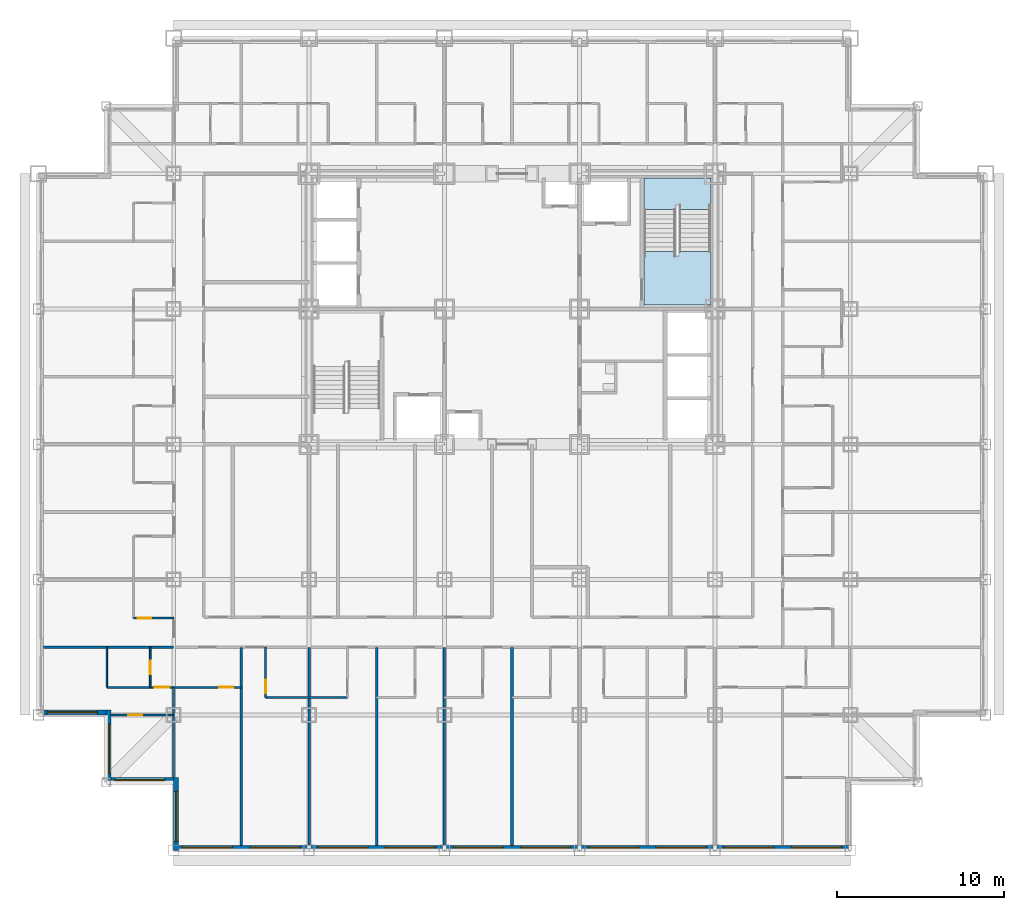
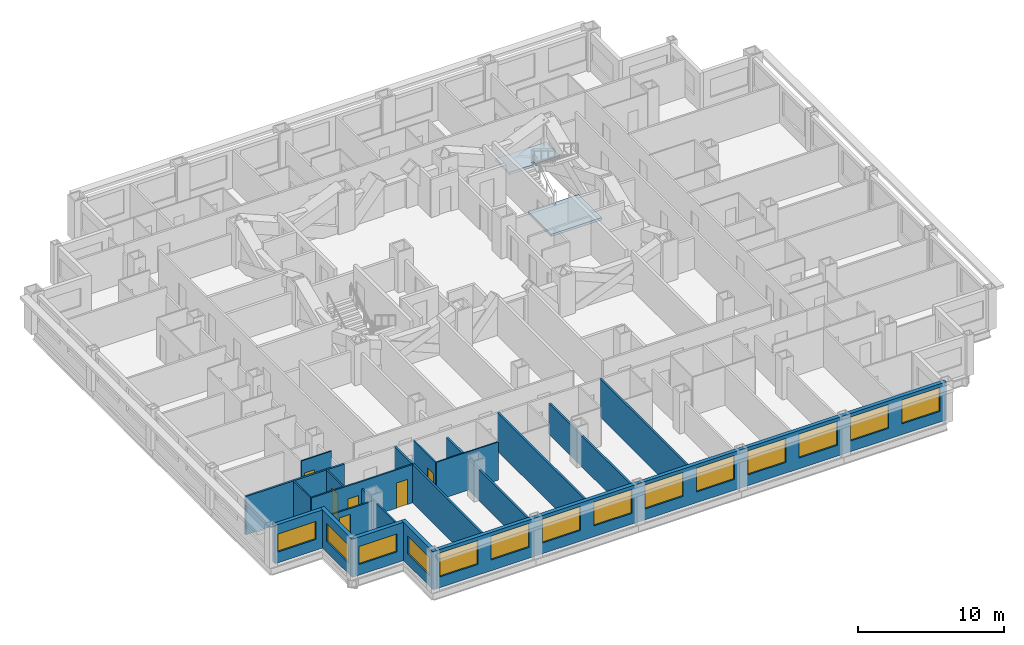
# One storey, part 3 of 13: 19 walls, 14 windows, 6 doors, 2 slabs, 20 openings, 1 element without a shape of its own.
"""IFC4 building model written with IfcOpenShell, lengths in metres."""

from ifc_helpers import new_model, si_unit, direction, frame, frame_2d, origin, place, context, subcontext, project, spatial, polyline, rectangle, outline, extrude, material, layer, layer_set, type_object, element, fill, aggregate, save


model = new_model("IFC4")

# Units and contexts
model_context = context("Model", 3, precision=1e-05, world=origin(), true_north=direction((0.0, 1.0)))
body_context = subcontext(model_context, "Body", "Model", "MODEL_VIEW")
ifc_project = project(units=[si_unit("LENGTHUNIT", "METRE"), si_unit("AREAUNIT", "SQUARE_METRE"), si_unit("VOLUMEUNIT", "CUBIC_METRE"), si_unit("PLANEANGLEUNIT", "RADIAN"), si_unit("MASSUNIT", "GRAM", prefix="KILO")], contexts=[model_context])

# Site, building, storey
site_placement = place(None, origin())
site = spatial("IfcSite", under=ifc_project, at=site_placement, CompositionType="ELEMENT")
building_placement = place(site_placement, origin())
building = spatial("IfcBuilding", under=site, at=building_placement, Name="Kopane Lantern Tower", CompositionType="ELEMENT")
storey_placement = place(building_placement, frame((0.0, 0.0, 63.60009765625)))
storey = spatial("IfcBuildingStorey", under=building, at=storey_placement, Name="L15", CompositionType="ELEMENT", Elevation=63.60009765625)

# Stair, slabs
ifc_material_1 = material(Name="Steel S355JR", Category="steel")
stair_type = type_object("IfcStairType", Name="EXIT STAIR 1900 HALF TURN", PredefinedType="HALF_TURN_STAIR", material=ifc_material_1)
stair_placement = place(storey_placement, origin())
stair = element("IfcStair", 1, at=stair_placement, inside=storey, type_object=stair_type, Name="Exit stair ST2 L15", PredefinedType="HALF_TURN_STAIR")
ifc_material_2 = material(Name="Concrete C40/50", Category="concrete")
ifc_layer_1 = layer(ifc_material_2, 0.199951171875)
ifc_layer_set_1 = layer_set([ifc_layer_1], Name="STAIR LANDING 200")
slab_type = type_object("IfcSlabType", Name="STAIR LANDING 200", PredefinedType="LANDING", material=ifc_layer_set_1)
slab_1_placement = place(storey_placement, frame((0.0, 0.0, -0.2001953125)))
slab_1 = element("IfcSlab", 2, at=slab_1_placement, type_object=slab_type, Name="ST2 landing 1", PredefinedType="LANDING", context=body_context, shape_type="SweptSolid", body=[
    extrude(outline(polyline([(40.25, 35.830078125), (38.35009765625, 35.830078125), (38.35009765625, 35.550048828125), (38.14990234375, 35.550048828125), (38.14990234375, 35.830078125), (36.25, 35.830078125), (36.25, 32.64990234375), (40.25, 32.64990234375), (40.25, 35.830078125)])), origin(), (0.0, 0.0, 1.0), 0.2001953125),
])
slab_2_placement = place(storey_placement, frame((0.0, 0.0, 1.5)))
slab_2 = element("IfcSlab", 3, at=slab_2_placement, type_object=slab_type, Name="ST2 landing 2", PredefinedType="LANDING", context=body_context, shape_type="SweptSolid", body=[
    extrude(outline(polyline([(38.14990234375, 38.6298828125), (38.35009765625, 38.6298828125), (38.35009765625, 38.35009765625), (40.25, 38.35009765625), (40.25, 40.25), (36.25, 40.25), (36.25, 38.35009765625), (38.14990234375, 38.35009765625), (38.14990234375, 38.6298828125)])), origin(), (0.0, 0.0, 1.0), 0.199951171875),
])
aggregate(stair, [slab_1, slab_2])

# Wall, openings, doors
ifc_material_3 = material(Name="Gypsum board on steel studs", Category="steel")
ifc_layer_2 = layer(ifc_material_3, 0.1201171875)
ifc_layer_set_2 = layer_set([ifc_layer_2], Name="APARTMENT INTERNAL WALL 120")
wall_type_1 = type_object("IfcWallType", Name="APARTMENT INTERNAL WALL 120", PredefinedType="PARTITIONING", material=ifc_layer_set_2)
wall_1_placement = place(storey_placement, frame((4.10009765625, 9.75, 0.0), z_axis=(0.0, 0.0, 1.0), x_axis=(1.0, 0.0, 0.0)))
wall_1 = element("IfcWall", 4, at=wall_1_placement, inside=storey, type_object=wall_type_1, Name="Apartment Internal Wall 120 L15", PredefinedType="PARTITIONING", context=body_context, shape_type="SweptSolid", body=[
    extrude(rectangle(XDim=8.0498046875, YDim=0.1201171875, at=frame_2d((4.02490234375, 0.0))), origin(), (0.0, 0.0, 1.0), 3.18994140625),
])
opening_1_placement = place(wall_1_placement, frame((6.72509765625, 0.0, 0.0)))
opening_1 = element("IfcOpeningElement", 5, at=opening_1_placement, cuts=wall_1, Name="Opening L15-068", PredefinedType="OPENING", context=body_context, shape_type="SweptSolid", body=[
    extrude(rectangle(XDim=0.85009765625, YDim=2.10009765625, at=frame_2d((0.425048828125, 1.050048828125))), frame((0.0, 0.070068359375, 0.0), z_axis=(0.0, -1.0, 0.0), x_axis=(1.0, 0.0, 0.0)), (0.0, 0.0, 1.0), 0.14013671875),
])
opening_2_placement = place(wall_1_placement, frame((2.875, 0.0, 0.0)))
opening_2 = element("IfcOpeningElement", 6, at=opening_2_placement, cuts=wall_1, Name="Opening L15-070", PredefinedType="OPENING", context=body_context, shape_type="SweptSolid", body=[
    extrude(rectangle(XDim=0.85009765625, YDim=2.10009765625, at=frame_2d((0.425048828125, 1.050048828125))), frame((0.0, 0.070068359375, 0.0), z_axis=(0.0, -1.0, 0.0), x_axis=(1.0, 0.0, 0.0)), (0.0, 0.0, 1.0), 0.14013671875),
])
ifc_material_4 = material(Name="Timber door set", Category="wood")
door_type_1 = type_object("IfcDoorType", Name="DOOR D4 850x2100", OperationType="SINGLE_SWING_LEFT", PredefinedType="DOOR", material=ifc_material_4)
door_1_placement = place(opening_1_placement, origin())
door_1 = element("IfcDoor", 7, at=door_1_placement, inside=storey, type_object=door_type_1, Name="Door L15-068", OperationType="SINGLE_SWING_RIGHT", OverallHeight=2.10009765625, OverallWidth=0.85009765625, PredefinedType="DOOR", context=body_context, shape_type="SweptSolid", body=[
    extrude(rectangle(XDim=0.85009765625, YDim=2.10009765625, at=frame_2d((0.425048828125, 1.050048828125))), frame((0.0, 0.02490234375, 0.0), z_axis=(0.0, -1.0, 0.0), x_axis=(1.0, 0.0, 0.0)), (0.0, 0.0, 1.0), 0.050048828125),
])
fill(opening_1, door_1)
door_2_placement = place(opening_2_placement, origin())
door_2 = element("IfcDoor", 8, at=door_2_placement, inside=storey, type_object=door_type_1, Name="Door L15-070", OperationType="SINGLE_SWING_LEFT", OverallHeight=2.10009765625, OverallWidth=0.85009765625, PredefinedType="DOOR", context=body_context, shape_type="SweptSolid", body=[
    extrude(rectangle(XDim=0.85009765625, YDim=2.10009765625, at=frame_2d((0.425048828125, 1.050048828125))), frame((0.0, 0.02490234375, 0.0), z_axis=(0.0, -1.0, 0.0), x_axis=(1.0, 0.0, 0.0)), (0.0, 0.0, 1.0), 0.050048828125),
])
fill(opening_2, door_2)

# Wall
wall_2_placement = place(storey_placement, frame((8.10009765625, 9.75, 0.0), z_axis=(0.0, 0.0, 1.0), x_axis=(0.0, -1.0, 0.0)))
element("IfcWall", 9, at=wall_2_placement, inside=storey, type_object=wall_type_1, Name="Apartment Internal Wall 120 L15", PredefinedType="PARTITIONING", context=body_context, shape_type="SweptSolid", body=[
    extrude(rectangle(XDim=5.39990234375, YDim=0.1201171875, at=frame_2d((2.699951171875, 0.0))), origin(), (0.0, 0.0, 1.0), 2.57763671875),
])

# Wall, opening, door
wall_3_placement = place(storey_placement, frame((8.10009765625, 8.10009765625, 0.0), z_axis=(0.0, 0.0, 1.0), x_axis=(-1.0, 0.0, 0.0)))
wall_3 = element("IfcWall", 10, at=wall_3_placement, inside=storey, type_object=wall_type_1, Name="Apartment Internal Wall 120 L15", PredefinedType="PARTITIONING", context=body_context, shape_type="SweptSolid", body=[
    extrude(rectangle(XDim=3.75, YDim=0.1201171875, at=frame_2d((1.875, 0.0))), origin(), (0.0, 0.0, 1.0), 2.57763671875),
])
opening_3_placement = place(wall_3_placement, frame((1.875, 0.0, 0.0)))
opening_3 = element("IfcOpeningElement", 11, at=opening_3_placement, cuts=wall_3, Name="Opening L15-071", PredefinedType="OPENING", context=body_context, shape_type="SweptSolid", body=[
    extrude(rectangle(XDim=0.85009765625, YDim=2.10009765625, at=frame_2d((0.425048828125, 1.050048828125))), frame((0.0, 0.070068359375, 0.0), z_axis=(0.0, -1.0, 0.0), x_axis=(1.0, 0.0, 0.0)), (0.0, 0.0, 1.0), 0.14013671875),
])
door_3_placement = place(opening_3_placement, origin())
door_3 = element("IfcDoor", 12, at=door_3_placement, inside=storey, type_object=door_type_1, Name="Door L15-071", OperationType="SINGLE_SWING_LEFT", OverallHeight=2.10009765625, OverallWidth=0.85009765625, PredefinedType="DOOR", context=body_context, shape_type="SweptSolid", body=[
    extrude(rectangle(XDim=0.85009765625, YDim=2.10009765625, at=frame_2d((0.425048828125, 1.050048828125))), frame((0.0, 0.02490234375, 0.0), z_axis=(0.0, -1.0, 0.0), x_axis=(1.0, 0.0, 0.0)), (0.0, 0.0, 1.0), 0.050048828125),
])
fill(opening_3, door_3)

# Wall
ifc_material_5 = material(Name="Moisture-resistant board on steel studs", Category="steel")
ifc_layer_3 = layer(ifc_material_5, 0.10009765625)
ifc_layer_set_3 = layer_set([ifc_layer_3], Name="BATHROOM WALL 100")
wall_type_2 = type_object("IfcWallType", Name="BATHROOM WALL 100", PredefinedType="PARTITIONING", material=ifc_layer_set_3)
wall_4_placement = place(storey_placement, frame((13.60009765625, 9.14990234375, 0.0), z_axis=(0.0, 0.0, 1.0), x_axis=(1.0, 0.0, 0.0)))
element("IfcWall", 13, at=wall_4_placement, inside=storey, type_object=wall_type_2, Name="Bathroom Wall 100 L15", PredefinedType="PARTITIONING", context=body_context, shape_type="SweptSolid", body=[
    extrude(rectangle(XDim=4.89990234375, YDim=0.10009765625, at=frame_2d((2.449951171875, 0.0))), origin(), (0.0, 0.0, 1.0), 3.18994140625),
])

# Wall, opening, door
wall_5_placement = place(storey_placement, frame((13.60009765625, 12.14990234375, 0.0), z_axis=(0.0, 0.0, 1.0), x_axis=(0.0, -1.0, 0.0)))
wall_5 = element("IfcWall", 14, at=wall_5_placement, inside=storey, type_object=wall_type_2, Name="Bathroom Wall 100 L15", PredefinedType="PARTITIONING", context=body_context, shape_type="SweptSolid", body=[
    extrude(rectangle(XDim=3.0, YDim=0.10009765625, at=frame_2d((1.5, 0.0))), origin(), (0.0, 0.0, 1.0), 3.18994140625),
])
opening_4_placement = place(wall_5_placement, frame((1.949951171875, 0.0, 0.0)))
opening_4 = element("IfcOpeningElement", 15, at=opening_4_placement, cuts=wall_5, Name="Opening L15-015", PredefinedType="OPENING", context=body_context, shape_type="SweptSolid", body=[
    extrude(rectangle(XDim=0.800048828125, YDim=2.10009765625, at=frame_2d((0.39990234375, 1.050048828125))), frame((0.0, 0.06005859375, 0.0), z_axis=(0.0, -1.0, 0.0), x_axis=(1.0, 0.0, 0.0)), (0.0, 0.0, 1.0), 0.1201171875),
])
ifc_material_6 = material(Name="Timber door set", Category="wood")
door_type_2 = type_object("IfcDoorType", Name="DOOR D2 800x2100", OperationType="SINGLE_SWING_LEFT", PredefinedType="DOOR", material=ifc_material_6)
door_4_placement = place(opening_4_placement, origin())
door_4 = element("IfcDoor", 16, at=door_4_placement, inside=storey, type_object=door_type_2, Name="Door L15-015", OperationType="SINGLE_SWING_RIGHT", OverallHeight=2.10009765625, OverallWidth=0.800048828125, PredefinedType="DOOR", context=body_context, shape_type="SweptSolid", body=[
    extrude(rectangle(XDim=0.800048828125, YDim=2.10009765625, at=frame_2d((0.39990234375, 1.050048828125))), frame((0.0, 0.02490234375, 0.0), z_axis=(0.0, -1.0, 0.0), x_axis=(1.0, 0.0, 0.0)), (0.0, 0.0, 1.0), 0.050048828125),
])
fill(opening_4, door_4)

wall_6_placement = place(storey_placement, frame((8.10009765625, 13.89990234375, 0.0), z_axis=(0.0, 0.0, 1.0), x_axis=(-1.0, 0.0, 0.0)))
wall_6 = element("IfcWall", 17, at=wall_6_placement, inside=storey, type_object=wall_type_2, Name="Bathroom Wall 100 L15", PredefinedType="PARTITIONING", context=body_context, shape_type="SweptSolid", body=[
    extrude(rectangle(XDim=2.400146484375, YDim=0.10009765625, at=frame_2d((1.2001953125, 0.0))), origin(), (0.0, 0.0, 1.0), 3.18994140625),
])
opening_5_placement = place(wall_6_placement, frame((1.35009765625, 0.0, 0.0)))
opening_5 = element("IfcOpeningElement", 18, at=opening_5_placement, cuts=wall_6, Name="Opening L15-041", PredefinedType="OPENING", context=body_context, shape_type="SweptSolid", body=[
    extrude(rectangle(XDim=0.800048828125, YDim=2.10009765625, at=frame_2d((0.39990234375, 1.050048828125))), frame((0.0, 0.06005859375, 0.0), z_axis=(0.0, -1.0, 0.0), x_axis=(1.0, 0.0, 0.0)), (0.0, 0.0, 1.0), 0.1201171875),
])
door_5_placement = place(opening_5_placement, origin())
door_5 = element("IfcDoor", 19, at=door_5_placement, inside=storey, type_object=door_type_2, Name="Door L15-041", OperationType="SINGLE_SWING_LEFT", OverallHeight=2.10009765625, OverallWidth=0.800048828125, PredefinedType="DOOR", context=body_context, shape_type="SweptSolid", body=[
    extrude(rectangle(XDim=0.800048828125, YDim=2.10009765625, at=frame_2d((0.39990234375, 1.050048828125))), frame((0.0, 0.02490234375, 0.0), z_axis=(0.0, -1.0, 0.0), x_axis=(1.0, 0.0, 0.0)), (0.0, 0.0, 1.0), 0.050048828125),
])
fill(opening_5, door_5)

wall_7_placement = place(storey_placement, frame((6.699951171875, 12.14990234375, 0.0), z_axis=(0.0, 0.0, 1.0), x_axis=(0.0, -1.0, 0.0)))
wall_7 = element("IfcWall", 20, at=wall_7_placement, inside=storey, type_object=wall_type_2, Name="Bathroom Wall 100 L15", PredefinedType="PARTITIONING", context=body_context, shape_type="SweptSolid", body=[
    extrude(rectangle(XDim=2.39990234375, YDim=0.10009765625, at=frame_2d((1.199951171875, 0.0))), origin(), (0.0, 0.0, 1.0), 3.18994140625),
])
opening_6_placement = place(wall_7_placement, frame((0.800048828125, 0.0, 0.0)))
opening_6 = element("IfcOpeningElement", 21, at=opening_6_placement, cuts=wall_7, Name="Opening L15-069", PredefinedType="OPENING", context=body_context, shape_type="SweptSolid", body=[
    extrude(rectangle(XDim=0.800048828125, YDim=2.10009765625, at=frame_2d((0.39990234375, 1.050048828125))), frame((0.0, 0.06005859375, 0.0), z_axis=(0.0, -1.0, 0.0), x_axis=(1.0, 0.0, 0.0)), (0.0, 0.0, 1.0), 0.1201171875),
])
door_6_placement = place(opening_6_placement, origin())
door_6 = element("IfcDoor", 22, at=door_6_placement, inside=storey, type_object=door_type_2, Name="Door L15-069", OperationType="SINGLE_SWING_RIGHT", OverallHeight=2.10009765625, OverallWidth=0.800048828125, PredefinedType="DOOR", context=body_context, shape_type="SweptSolid", body=[
    extrude(rectangle(XDim=0.800048828125, YDim=2.10009765625, at=frame_2d((0.39990234375, 1.050048828125))), frame((0.0, 0.02490234375, 0.0), z_axis=(0.0, -1.0, 0.0), x_axis=(1.0, 0.0, 0.0)), (0.0, 0.0, 1.0), 0.050048828125),
])
fill(opening_6, door_6)

# Walls
wall_8_placement = place(storey_placement, frame((4.10009765625, 12.14990234375, 0.0), z_axis=(0.0, 0.0, 1.0), x_axis=(0.0, -1.0, 0.0)))
element("IfcWall", 23, at=wall_8_placement, inside=storey, type_object=wall_type_2, Name="Bathroom Wall 100 L15", PredefinedType="PARTITIONING", context=body_context, shape_type="SweptSolid", body=[
    extrude(rectangle(XDim=2.39990234375, YDim=0.10009765625, at=frame_2d((1.199951171875, 0.0))), origin(), (0.0, 0.0, 1.0), 3.18994140625),
])
ifc_material_7 = material(Name="Gypsum board on steel studs", Category="steel")
ifc_layer_4 = layer(ifc_material_7, 0.14990234375)
ifc_layer_set_4 = layer_set([ifc_layer_4], Name="DEMISING WALL 150 EI 60")
wall_type_3 = type_object("IfcWallType", Name="DEMISING WALL 150 EI 60", PredefinedType="PARTITIONING", material=ifc_layer_set_4)
wall_9_placement = place(storey_placement, frame((16.199951171875, 12.14990234375, 0.0), z_axis=(0.0, 0.0, 1.0), x_axis=(0.0, -1.0, 0.0)))
element("IfcWall", 24, at=wall_9_placement, inside=storey, type_object=wall_type_3, Name="Demising Wall 150 Ei 60 L15", PredefinedType="PARTITIONING", context=body_context, shape_type="SweptSolid", body=[
    extrude(rectangle(XDim=11.849853515625, YDim=0.14990234375, at=frame_2d((5.9248046875, 0.0))), origin(), (0.0, 0.0, 1.0), 2.57763671875),
])
wall_10_placement = place(storey_placement, frame((20.25, 12.14990234375, 0.0), z_axis=(0.0, 0.0, 1.0), x_axis=(0.0, -1.0, 0.0)))
element("IfcWall", 25, at=wall_10_placement, inside=storey, type_object=wall_type_3, Name="Demising Wall 150 Ei 60 L15", PredefinedType="PARTITIONING", context=body_context, shape_type="SweptSolid", body=[
    extrude(rectangle(XDim=11.849853515625, YDim=0.14990234375, at=frame_2d((5.9248046875, 0.0))), origin(), (0.0, 0.0, 1.0), 3.18994140625),
])
wall_11_placement = place(storey_placement, frame((24.300048828125, 12.14990234375, 0.0), z_axis=(0.0, 0.0, 1.0), x_axis=(0.0, -1.0, 0.0)))
element("IfcWall", 26, at=wall_11_placement, inside=storey, type_object=wall_type_3, Name="Demising Wall 150 Ei 60 L15", PredefinedType="PARTITIONING", context=body_context, shape_type="SweptSolid", body=[
    extrude(rectangle(XDim=11.849853515625, YDim=0.14990234375, at=frame_2d((5.9248046875, 0.0))), origin(), (0.0, 0.0, 1.0), 2.57763671875),
])
wall_12_placement = place(storey_placement, frame((28.35009765625, 12.14990234375, 0.0), z_axis=(0.0, 0.0, 1.0), x_axis=(0.0, -1.0, 0.0)))
element("IfcWall", 27, at=wall_12_placement, inside=storey, type_object=wall_type_3, Name="Demising Wall 150 Ei 60 L15", PredefinedType="PARTITIONING", context=body_context, shape_type="SweptSolid", body=[
    extrude(rectangle(XDim=11.849853515625, YDim=0.14990234375, at=frame_2d((5.9248046875, 0.0))), origin(), (0.0, 0.0, 1.0), 3.18994140625),
])
wall_13_placement = place(storey_placement, frame((0.300048828125, 12.14990234375, 0.0), z_axis=(0.0, 0.0, 1.0), x_axis=(1.0, 0.0, 0.0)))
element("IfcWall", 28, at=wall_13_placement, inside=storey, type_object=wall_type_3, Name="Demising Wall 150 Ei 60 L15", PredefinedType="PARTITIONING", context=body_context, shape_type="SweptSolid", body=[
    extrude(rectangle(XDim=7.800048828125, YDim=0.14990234375, at=frame_2d((3.89990234375, 0.0))), origin(), (0.0, 0.0, 1.0), 3.18994140625),
])
wall_14_placement = place(storey_placement, frame((12.14990234375, 12.14990234375, 0.0), z_axis=(0.0, 0.0, 1.0), x_axis=(0.0, -1.0, 0.0)))
element("IfcWall", 29, at=wall_14_placement, inside=storey, type_object=wall_type_3, Name="Demising Wall 150 Ei 60 L15", PredefinedType="PARTITIONING", context=body_context, shape_type="SweptSolid", body=[
    extrude(rectangle(XDim=11.849853515625, YDim=0.14990234375, at=frame_2d((5.9248046875, 0.0))), origin(), (0.0, 0.0, 1.0), 3.18994140625),
])

# Wall, openings, windows
ifc_material_8 = material(Name="Terracotta rainscreen on light steel framing", Category="masonry")
ifc_layer_5 = layer(ifc_material_8, 0.300048828125)
ifc_layer_set_5 = layer_set([ifc_layer_5], Name="EXTERNAL WALL EW1 300 TERRACOTTA")
wall_type_4 = type_object("IfcWallType", Name="EXTERNAL WALL EW1 300 TERRACOTTA", PredefinedType="SOLIDWALL", material=ifc_layer_set_5)
wall_15_placement = place(storey_placement, frame((8.39990234375, 0.14990234375, 0.0), z_axis=(0.0, 0.0, 1.0), x_axis=(1.0, 0.0, 0.0)))
wall_15 = element("IfcWall", 30, at=wall_15_placement, inside=storey, type_object=wall_type_4, Name="External wall S L15", PredefinedType="SOLIDWALL", context=body_context, shape_type="SweptSolid", body=[
    extrude(rectangle(XDim=40.2001953125, YDim=0.300048828125, at=frame_2d((20.10009765625, 0.0))), origin(), (0.0, 0.0, 1.0), 3.18994140625),
])
opening_7_placement = place(wall_15_placement, frame((0.22509765625, 0.0, 0.89990234375)))
opening_7 = element("IfcOpeningElement", 31, at=opening_7_placement, cuts=wall_15, Name="Opening WR300200", PredefinedType="OPENING", context=body_context, shape_type="SweptSolid", body=[
    extrude(rectangle(XDim=3.0, YDim=2.0, at=frame_2d((1.5, 1.0))), frame((0.0, 0.159912109375, 0.0), z_axis=(0.0, -1.0, 0.0), x_axis=(1.0, 0.0, 0.0)), (0.0, 0.0, 1.0), 0.320068359375),
])
opening_8_placement = place(wall_15_placement, frame((4.27490234375, 0.0, 0.89990234375)))
opening_8 = element("IfcOpeningElement", 32, at=opening_8_placement, cuts=wall_15, Name="Opening WR300200", PredefinedType="OPENING", context=body_context, shape_type="SweptSolid", body=[
    extrude(rectangle(XDim=3.0, YDim=2.0, at=frame_2d((1.5, 1.0))), frame((0.0, 0.159912109375, 0.0), z_axis=(0.0, -1.0, 0.0), x_axis=(1.0, 0.0, 0.0)), (0.0, 0.0, 1.0), 0.320068359375),
])
opening_9_placement = place(wall_15_placement, frame((8.324951171875, 0.0, 0.89990234375)))
opening_9 = element("IfcOpeningElement", 33, at=opening_9_placement, cuts=wall_15, Name="Opening WR300200", PredefinedType="OPENING", context=body_context, shape_type="SweptSolid", body=[
    extrude(rectangle(XDim=3.0, YDim=2.0, at=frame_2d((1.5, 1.0))), frame((0.0, 0.159912109375, 0.0), z_axis=(0.0, -1.0, 0.0), x_axis=(1.0, 0.0, 0.0)), (0.0, 0.0, 1.0), 0.320068359375),
])
opening_10_placement = place(wall_15_placement, frame((12.375, 0.0, 0.89990234375)))
opening_10 = element("IfcOpeningElement", 34, at=opening_10_placement, cuts=wall_15, Name="Opening WR300200", PredefinedType="OPENING", context=body_context, shape_type="SweptSolid", body=[
    extrude(rectangle(XDim=3.0, YDim=2.0, at=frame_2d((1.5, 1.0))), frame((0.0, 0.159912109375, 0.0), z_axis=(0.0, -1.0, 0.0), x_axis=(1.0, 0.0, 0.0)), (0.0, 0.0, 1.0), 0.320068359375),
])
opening_11_placement = place(wall_15_placement, frame((16.425048828125, 0.0, 0.89990234375)))
opening_11 = element("IfcOpeningElement", 35, at=opening_11_placement, cuts=wall_15, Name="Opening WR300200", PredefinedType="OPENING", context=body_context, shape_type="SweptSolid", body=[
    extrude(rectangle(XDim=3.0, YDim=2.0, at=frame_2d((1.5, 1.0))), frame((0.0, 0.159912109375, 0.0), z_axis=(0.0, -1.0, 0.0), x_axis=(1.0, 0.0, 0.0)), (0.0, 0.0, 1.0), 0.320068359375),
])
opening_12_placement = place(wall_15_placement, frame((20.47509765625, 0.0, 0.89990234375)))
opening_12 = element("IfcOpeningElement", 36, at=opening_12_placement, cuts=wall_15, Name="Opening WR300200", PredefinedType="OPENING", context=body_context, shape_type="SweptSolid", body=[
    extrude(rectangle(XDim=3.0, YDim=2.0, at=frame_2d((1.5, 1.0))), frame((0.0, 0.159912109375, 0.0), z_axis=(0.0, -1.0, 0.0), x_axis=(1.0, 0.0, 0.0)), (0.0, 0.0, 1.0), 0.320068359375),
])
opening_13_placement = place(wall_15_placement, frame((24.52490234375, 0.0, 0.89990234375)))
opening_13 = element("IfcOpeningElement", 37, at=opening_13_placement, cuts=wall_15, Name="Opening WR300200", PredefinedType="OPENING", context=body_context, shape_type="SweptSolid", body=[
    extrude(rectangle(XDim=3.0, YDim=2.0, at=frame_2d((1.5, 1.0))), frame((0.0, 0.159912109375, 0.0), z_axis=(0.0, -1.0, 0.0), x_axis=(1.0, 0.0, 0.0)), (0.0, 0.0, 1.0), 0.320068359375),
])
opening_14_placement = place(wall_15_placement, frame((28.574951171875, 0.0, 0.89990234375)))
opening_14 = element("IfcOpeningElement", 38, at=opening_14_placement, cuts=wall_15, Name="Opening WR300200", PredefinedType="OPENING", context=body_context, shape_type="SweptSolid", body=[
    extrude(rectangle(XDim=3.0, YDim=2.0, at=frame_2d((1.5, 1.0))), frame((0.0, 0.159912109375, 0.0), z_axis=(0.0, -1.0, 0.0), x_axis=(1.0, 0.0, 0.0)), (0.0, 0.0, 1.0), 0.320068359375),
])
opening_15_placement = place(wall_15_placement, frame((32.625, 0.0, 0.89990234375)))
opening_15 = element("IfcOpeningElement", 39, at=opening_15_placement, cuts=wall_15, Name="Opening WR300200", PredefinedType="OPENING", context=body_context, shape_type="SweptSolid", body=[
    extrude(rectangle(XDim=3.0, YDim=2.0, at=frame_2d((1.5, 1.0))), frame((0.0, 0.159912109375, 0.0), z_axis=(0.0, -1.0, 0.0), x_axis=(1.0, 0.0, 0.0)), (0.0, 0.0, 1.0), 0.320068359375),
])
opening_16_placement = place(wall_15_placement, frame((36.675048828125, 0.0, 0.89990234375)))
opening_16 = element("IfcOpeningElement", 40, at=opening_16_placement, cuts=wall_15, Name="Opening WR300200", PredefinedType="OPENING", context=body_context, shape_type="SweptSolid", body=[
    extrude(rectangle(XDim=3.0, YDim=2.0, at=frame_2d((1.5, 1.0))), frame((0.0, 0.159912109375, 0.0), z_axis=(0.0, -1.0, 0.0), x_axis=(1.0, 0.0, 0.0)), (0.0, 0.0, 1.0), 0.320068359375),
])
ifc_material_9 = material(Name="Aluminium and clear glass", Category="aluminium")
window_type_1 = type_object("IfcWindowType", Name="RIBBON WINDOW WR300200 3000x2000", PartitioningType="SINGLE_PANEL", PredefinedType="WINDOW", material=ifc_material_9)
window_1_placement = place(opening_7_placement, origin())
window_1 = element("IfcWindow", 41, at=window_1_placement, inside=storey, type_object=window_type_1, Name="Window S L15", OverallHeight=2.0, OverallWidth=3.0, PartitioningType="SINGLE_PANEL", PredefinedType="WINDOW", context=body_context, shape_type="SweptSolid", body=[
    extrude(rectangle(XDim=3.0, YDim=2.0, at=frame_2d((1.5, 1.0))), frame((0.0, 0.030029296875, 0.0), z_axis=(0.0, -1.0, 0.0), x_axis=(1.0, 0.0, 0.0)), (0.0, 0.0, 1.0), 0.06005859375),
])
fill(opening_7, window_1)
window_2_placement = place(opening_8_placement, origin())
window_2 = element("IfcWindow", 42, at=window_2_placement, inside=storey, type_object=window_type_1, Name="Window S L15", OverallHeight=2.0, OverallWidth=3.0, PartitioningType="SINGLE_PANEL", PredefinedType="WINDOW", context=body_context, shape_type="SweptSolid", body=[
    extrude(rectangle(XDim=3.0, YDim=2.0, at=frame_2d((1.5, 1.0))), frame((0.0, 0.030029296875, 0.0), z_axis=(0.0, -1.0, 0.0), x_axis=(1.0, 0.0, 0.0)), (0.0, 0.0, 1.0), 0.06005859375),
])
fill(opening_8, window_2)
window_3_placement = place(opening_9_placement, origin())
window_3 = element("IfcWindow", 43, at=window_3_placement, inside=storey, type_object=window_type_1, Name="Window S L15", OverallHeight=2.0, OverallWidth=3.0, PartitioningType="SINGLE_PANEL", PredefinedType="WINDOW", context=body_context, shape_type="SweptSolid", body=[
    extrude(rectangle(XDim=3.0, YDim=2.0, at=frame_2d((1.5, 1.0))), frame((0.0, 0.030029296875, 0.0), z_axis=(0.0, -1.0, 0.0), x_axis=(1.0, 0.0, 0.0)), (0.0, 0.0, 1.0), 0.06005859375),
])
fill(opening_9, window_3)
window_4_placement = place(opening_10_placement, origin())
window_4 = element("IfcWindow", 44, at=window_4_placement, inside=storey, type_object=window_type_1, Name="Window S L15", OverallHeight=2.0, OverallWidth=3.0, PartitioningType="SINGLE_PANEL", PredefinedType="WINDOW", context=body_context, shape_type="SweptSolid", body=[
    extrude(rectangle(XDim=3.0, YDim=2.0, at=frame_2d((1.5, 1.0))), frame((0.0, 0.030029296875, 0.0), z_axis=(0.0, -1.0, 0.0), x_axis=(1.0, 0.0, 0.0)), (0.0, 0.0, 1.0), 0.06005859375),
])
fill(opening_10, window_4)
window_5_placement = place(opening_11_placement, origin())
window_5 = element("IfcWindow", 45, at=window_5_placement, inside=storey, type_object=window_type_1, Name="Window S L15", OverallHeight=2.0, OverallWidth=3.0, PartitioningType="SINGLE_PANEL", PredefinedType="WINDOW", context=body_context, shape_type="SweptSolid", body=[
    extrude(rectangle(XDim=3.0, YDim=2.0, at=frame_2d((1.5, 1.0))), frame((0.0, 0.030029296875, 0.0), z_axis=(0.0, -1.0, 0.0), x_axis=(1.0, 0.0, 0.0)), (0.0, 0.0, 1.0), 0.06005859375),
])
fill(opening_11, window_5)
window_6_placement = place(opening_12_placement, origin())
window_6 = element("IfcWindow", 46, at=window_6_placement, inside=storey, type_object=window_type_1, Name="Window S L15", OverallHeight=2.0, OverallWidth=3.0, PartitioningType="SINGLE_PANEL", PredefinedType="WINDOW", context=body_context, shape_type="SweptSolid", body=[
    extrude(rectangle(XDim=3.0, YDim=2.0, at=frame_2d((1.5, 1.0))), frame((0.0, 0.030029296875, 0.0), z_axis=(0.0, -1.0, 0.0), x_axis=(1.0, 0.0, 0.0)), (0.0, 0.0, 1.0), 0.06005859375),
])
fill(opening_12, window_6)
window_7_placement = place(opening_13_placement, origin())
window_7 = element("IfcWindow", 47, at=window_7_placement, inside=storey, type_object=window_type_1, Name="Window S L15", OverallHeight=2.0, OverallWidth=3.0, PartitioningType="SINGLE_PANEL", PredefinedType="WINDOW", context=body_context, shape_type="SweptSolid", body=[
    extrude(rectangle(XDim=3.0, YDim=2.0, at=frame_2d((1.5, 1.0))), frame((0.0, 0.030029296875, 0.0), z_axis=(0.0, -1.0, 0.0), x_axis=(1.0, 0.0, 0.0)), (0.0, 0.0, 1.0), 0.06005859375),
])
fill(opening_13, window_7)
window_8_placement = place(opening_14_placement, origin())
window_8 = element("IfcWindow", 48, at=window_8_placement, inside=storey, type_object=window_type_1, Name="Window S L15", OverallHeight=2.0, OverallWidth=3.0, PartitioningType="SINGLE_PANEL", PredefinedType="WINDOW", context=body_context, shape_type="SweptSolid", body=[
    extrude(rectangle(XDim=3.0, YDim=2.0, at=frame_2d((1.5, 1.0))), frame((0.0, 0.030029296875, 0.0), z_axis=(0.0, -1.0, 0.0), x_axis=(1.0, 0.0, 0.0)), (0.0, 0.0, 1.0), 0.06005859375),
])
fill(opening_14, window_8)
window_9_placement = place(opening_15_placement, origin())
window_9 = element("IfcWindow", 49, at=window_9_placement, inside=storey, type_object=window_type_1, Name="Window S L15", OverallHeight=2.0, OverallWidth=3.0, PartitioningType="SINGLE_PANEL", PredefinedType="WINDOW", context=body_context, shape_type="SweptSolid", body=[
    extrude(rectangle(XDim=3.0, YDim=2.0, at=frame_2d((1.5, 1.0))), frame((0.0, 0.030029296875, 0.0), z_axis=(0.0, -1.0, 0.0), x_axis=(1.0, 0.0, 0.0)), (0.0, 0.0, 1.0), 0.06005859375),
])
fill(opening_15, window_9)
window_10_placement = place(opening_16_placement, origin())
window_10 = element("IfcWindow", 50, at=window_10_placement, inside=storey, type_object=window_type_1, Name="Window S L15", OverallHeight=2.0, OverallWidth=3.0, PartitioningType="SINGLE_PANEL", PredefinedType="WINDOW", context=body_context, shape_type="SweptSolid", body=[
    extrude(rectangle(XDim=3.0, YDim=2.0, at=frame_2d((1.5, 1.0))), frame((0.0, 0.030029296875, 0.0), z_axis=(0.0, -1.0, 0.0), x_axis=(1.0, 0.0, 0.0)), (0.0, 0.0, 1.0), 0.06005859375),
])
fill(opening_16, window_10)

# Wall, opening, window
wall_16_placement = place(storey_placement, frame((0.300048828125, 8.25, 0.0), z_axis=(0.0, 0.0, 1.0), x_axis=(1.0, 0.0, 0.0)))
wall_16 = element("IfcWall", 51, at=wall_16_placement, inside=storey, type_object=wall_type_4, Name="External wall S L15", PredefinedType="SOLIDWALL", context=body_context, shape_type="SweptSolid", body=[
    extrude(rectangle(XDim=3.75, YDim=0.300048828125, at=frame_2d((1.875, 0.0))), origin(), (0.0, 0.0, 1.0), 3.18994140625),
])
opening_17_placement = place(wall_16_placement, frame((0.22509765625, 0.0, 0.89990234375)))
opening_17 = element("IfcOpeningElement", 52, at=opening_17_placement, cuts=wall_16, Name="Opening WR300150", PredefinedType="OPENING", context=body_context, shape_type="SweptSolid", body=[
    extrude(rectangle(XDim=3.0, YDim=1.5, at=frame_2d((1.5, 0.75))), frame((0.0, 0.159912109375, 0.0), z_axis=(0.0, -1.0, 0.0), x_axis=(1.0, 0.0, 0.0)), (0.0, 0.0, 1.0), 0.320068359375),
])
ifc_material_10 = material(Name="Aluminium and clear glass", Category="aluminium")
window_type_2 = type_object("IfcWindowType", Name="RIBBON WINDOW WR300150 3000x1500", PartitioningType="SINGLE_PANEL", PredefinedType="WINDOW", material=ifc_material_10)
window_11_placement = place(opening_17_placement, origin())
window_11 = element("IfcWindow", 53, at=window_11_placement, inside=storey, type_object=window_type_2, Name="Window S L15", OverallHeight=1.5, OverallWidth=3.0, PartitioningType="SINGLE_PANEL", PredefinedType="WINDOW", context=body_context, shape_type="SweptSolid", body=[
    extrude(rectangle(XDim=3.0, YDim=1.5, at=frame_2d((1.5, 0.75))), frame((0.0, 0.030029296875, 0.0), z_axis=(0.0, -1.0, 0.0), x_axis=(1.0, 0.0, 0.0)), (0.0, 0.0, 1.0), 0.06005859375),
])
fill(opening_17, window_11)

wall_17_placement = place(storey_placement, frame((4.199951171875, 8.39990234375, 0.0), z_axis=(0.0, 0.0, 1.0), x_axis=(0.0, -1.0, 0.0)))
wall_17 = element("IfcWall", 54, at=wall_17_placement, inside=storey, type_object=wall_type_4, Name="External wall W L15", PredefinedType="SOLIDWALL", context=body_context, shape_type="SweptSolid", body=[
    extrude(rectangle(XDim=4.349853515625, YDim=0.300048828125, at=frame_2d((2.1748046875, 0.0))), origin(), (0.0, 0.0, 1.0), 3.18994140625),
])
opening_18_placement = place(wall_17_placement, frame((0.824951171875, 0.0, 0.89990234375)))
opening_18 = element("IfcOpeningElement", 55, at=opening_18_placement, cuts=wall_17, Name="Opening WR300150", PredefinedType="OPENING", context=body_context, shape_type="SweptSolid", body=[
    extrude(rectangle(XDim=3.0, YDim=1.5, at=frame_2d((1.5, 0.75))), frame((0.0, 0.159912109375, 0.0), z_axis=(0.0, -1.0, 0.0), x_axis=(1.0, 0.0, 0.0)), (0.0, 0.0, 1.0), 0.320068359375),
])
window_12_placement = place(opening_18_placement, origin())
window_12 = element("IfcWindow", 56, at=window_12_placement, inside=storey, type_object=window_type_2, Name="Window W L15", OverallHeight=1.5, OverallWidth=3.0, PartitioningType="SINGLE_PANEL", PredefinedType="WINDOW", context=body_context, shape_type="SweptSolid", body=[
    extrude(rectangle(XDim=3.0, YDim=1.5, at=frame_2d((1.5, 0.75))), frame((0.0, 0.030029296875, 0.0), z_axis=(0.0, -1.0, 0.0), x_axis=(1.0, 0.0, 0.0)), (0.0, 0.0, 1.0), 0.06005859375),
])
fill(opening_18, window_12)

wall_18_placement = place(storey_placement, frame((4.35009765625, 4.199951171875, 0.0), z_axis=(0.0, 0.0, 1.0), x_axis=(1.0, 0.0, 0.0)))
wall_18 = element("IfcWall", 57, at=wall_18_placement, inside=storey, type_object=wall_type_4, Name="External wall S L15", PredefinedType="SOLIDWALL", context=body_context, shape_type="SweptSolid", body=[
    extrude(rectangle(XDim=3.75, YDim=0.300048828125, at=frame_2d((1.875, 0.0))), origin(), (0.0, 0.0, 1.0), 3.18994140625),
])
opening_19_placement = place(wall_18_placement, frame((0.22509765625, 0.0, 0.89990234375)))
opening_19 = element("IfcOpeningElement", 58, at=opening_19_placement, cuts=wall_18, Name="Opening WR300150", PredefinedType="OPENING", context=body_context, shape_type="SweptSolid", body=[
    extrude(rectangle(XDim=3.0, YDim=1.5, at=frame_2d((1.5, 0.75))), frame((0.0, 0.159912109375, 0.0), z_axis=(0.0, -1.0, 0.0), x_axis=(1.0, 0.0, 0.0)), (0.0, 0.0, 1.0), 0.320068359375),
])
window_13_placement = place(opening_19_placement, origin())
window_13 = element("IfcWindow", 59, at=window_13_placement, inside=storey, type_object=window_type_2, Name="Window S L15", OverallHeight=1.5, OverallWidth=3.0, PartitioningType="SINGLE_PANEL", PredefinedType="WINDOW", context=body_context, shape_type="SweptSolid", body=[
    extrude(rectangle(XDim=3.0, YDim=1.5, at=frame_2d((1.5, 0.75))), frame((0.0, 0.030029296875, 0.0), z_axis=(0.0, -1.0, 0.0), x_axis=(1.0, 0.0, 0.0)), (0.0, 0.0, 1.0), 0.06005859375),
])
fill(opening_19, window_13)

wall_19_placement = place(storey_placement, frame((8.25, 4.35009765625, 0.0), z_axis=(0.0, 0.0, 1.0), x_axis=(0.0, -1.0, 0.0)))
wall_19 = element("IfcWall", 60, at=wall_19_placement, inside=storey, type_object=wall_type_4, Name="External wall W L15", PredefinedType="SOLIDWALL", context=body_context, shape_type="SweptSolid", body=[
    extrude(rectangle(XDim=4.35009765625, YDim=0.300048828125, at=frame_2d((2.175048828125, 0.0))), origin(), (0.0, 0.0, 1.0), 3.18994140625),
])
opening_20_placement = place(wall_19_placement, frame((0.824951171875, 0.0, 0.89990234375)))
opening_20 = element("IfcOpeningElement", 61, at=opening_20_placement, cuts=wall_19, Name="Opening WR300150", PredefinedType="OPENING", context=body_context, shape_type="SweptSolid", body=[
    extrude(rectangle(XDim=3.0, YDim=1.5, at=frame_2d((1.5, 0.75))), frame((0.0, 0.159912109375, 0.0), z_axis=(0.0, -1.0, 0.0), x_axis=(1.0, 0.0, 0.0)), (0.0, 0.0, 1.0), 0.320068359375),
])
window_14_placement = place(opening_20_placement, origin())
window_14 = element("IfcWindow", 62, at=window_14_placement, inside=storey, type_object=window_type_2, Name="Window W L15", OverallHeight=1.5, OverallWidth=3.0, PartitioningType="SINGLE_PANEL", PredefinedType="WINDOW", context=body_context, shape_type="SweptSolid", body=[
    extrude(rectangle(XDim=3.0, YDim=1.5, at=frame_2d((1.5, 0.75))), frame((0.0, 0.030029296875, 0.0), z_axis=(0.0, -1.0, 0.0), x_axis=(1.0, 0.0, 0.0)), (0.0, 0.0, 1.0), 0.06005859375),
])
fill(opening_20, window_14)

save(model, "model.ifc")
